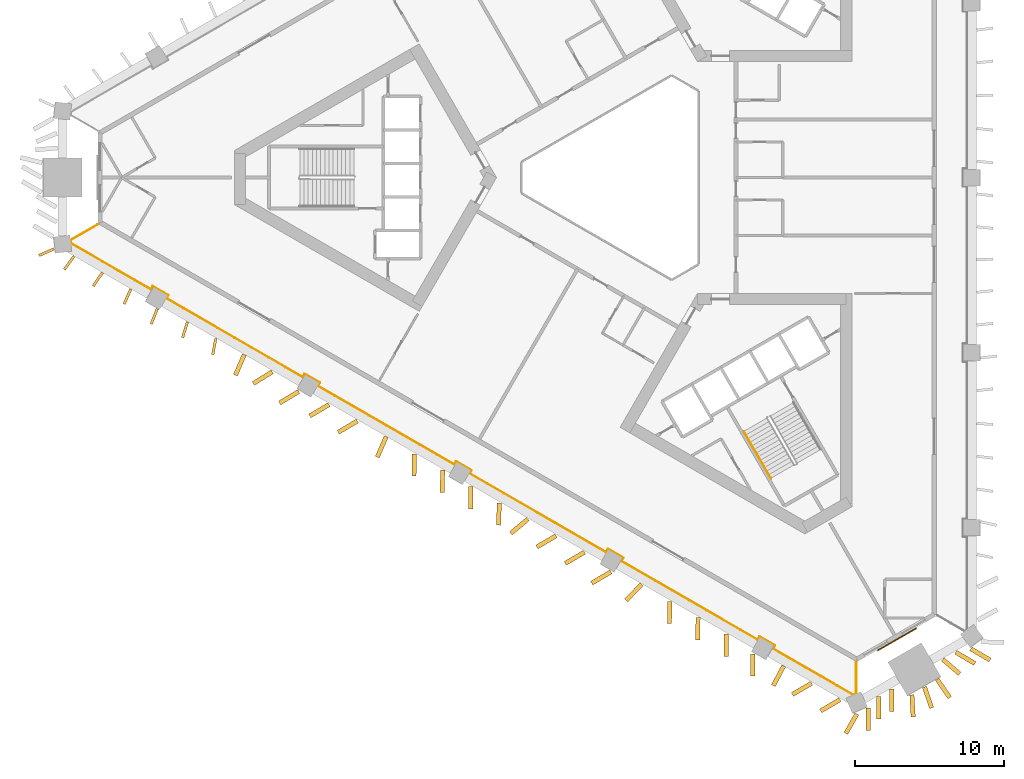
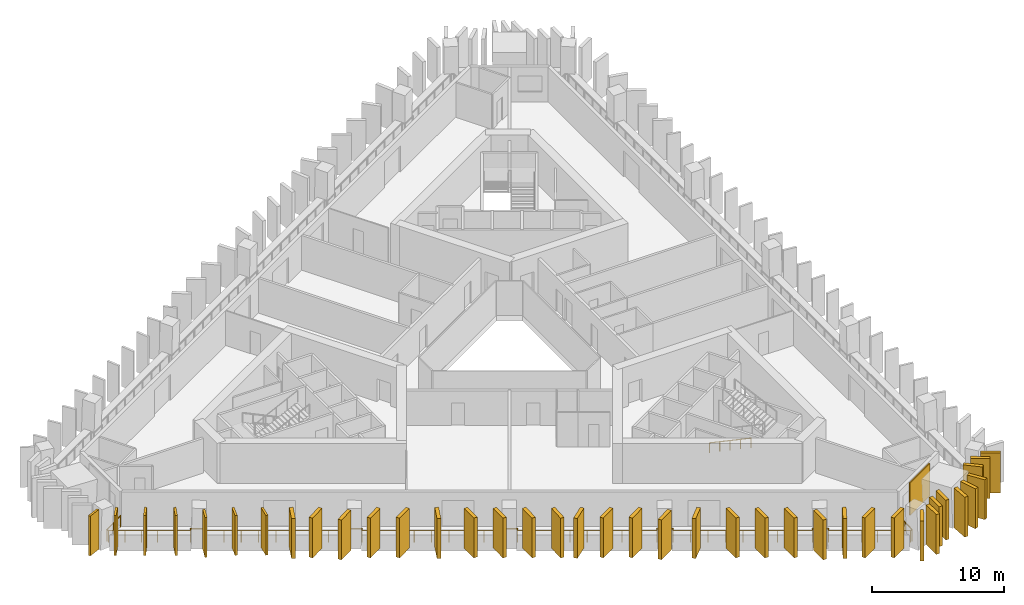
# One storey, part 8 of 11: 39 shading devices, 2 railings, 1 covering.
"""IFC4 building model written with IfcOpenShell, lengths in metres."""

from ifc_helpers import new_model, si_unit, direction, frame, frame_2d, origin, origin_2d, place, context, subcontext, project, spatial, rectangle, circle, extrude, material, layer, layer_set, type_object, element, save


model = new_model("IFC4")

# Units and contexts
model_context = context("Model", 3, precision=1e-05, world=origin(), true_north=direction((0.0, 1.0)))
body_context = subcontext(model_context, "Body", "Model", "MODEL_VIEW")
ifc_project = project(units=[si_unit("LENGTHUNIT", "METRE"), si_unit("AREAUNIT", "SQUARE_METRE"), si_unit("VOLUMEUNIT", "CUBIC_METRE"), si_unit("PLANEANGLEUNIT", "RADIAN"), si_unit("MASSUNIT", "GRAM", prefix="KILO")], contexts=[model_context])

# Site, building, storey
site_placement = place(None, origin())
site = spatial("IfcSite", under=ifc_project, at=site_placement, CompositionType="ELEMENT")
building_placement = place(site_placement, origin())
building = spatial("IfcBuilding", under=site, at=building_placement, Name="Jabali Bay Hotel Tower and Convention Centre", CompositionType="ELEMENT")
storey_placement = place(building_placement, frame((0.0, 0.0, 83.199951171875)))
storey = spatial("IfcBuildingStorey", under=building, at=storey_placement, Name="L19", CompositionType="ELEMENT", Elevation=83.199951171875)

# Railing
ifc_material_1 = material(Name="Glass", Category="glass")
railing_type_1 = type_object("IfcRailingType", Name="Loggia glass guard 1100", PredefinedType="BALUSTRADE", material=ifc_material_1)
railing_1_placement = place(storey_placement, frame((90.1708984375, 47.42431640625, 0.0)))
element("IfcRailing", 1, at=railing_1_placement, inside=storey, type_object=railing_type_1, Name="Loggia glass guard L19", PredefinedType="BALUSTRADE", context=body_context, shape_type="SweptSolid", body=[
    extrude(circle(Radius=0.02490234375, at=origin_2d()), frame((0.0, 0.0, 1.0751953125), z_axis=(0.0, -1.0, 0.0), x_axis=(0.991444861374, 0.0, 0.13052619222)), (0.0, 0.0, 1.0), 2.110595703125),
    extrude(circle(Radius=0.02490234375, at=origin_2d()), frame((0.0, -2.110595703125, 1.0751953125), z_axis=(-0.918438029816, -0.395564894029, 0.0), x_axis=(0.392180781525, -0.910580665151, 0.13052619222)), (0.0, 0.0, 1.0), 0.21484375),
    extrude(circle(Radius=0.02490234375, at=origin_2d()), frame((-0.197265625, -2.195556640625, 1.0751953125), z_axis=(-0.866012681068, 0.500022035744, 0.0), x_axis=(-0.495744277913, -0.858603822529, 0.13052619222)), (0.0, 0.0, 1.0), 6.207763671875),
    extrude(circle(Radius=0.02490234375, at=origin_2d()), frame((-5.5732421875, 0.908447265625, 1.0751953125), z_axis=(0.500342721131, 0.865827443207, 0.0), x_axis=(-0.858420169404, 0.496062219791, 0.13052619222)), (0.0, 0.0, 1.0), 0.249755859375),
    extrude(circle(Radius=0.02490234375, at=origin_2d()), frame((-5.4482421875, 1.124755859375, 1.0751953125), z_axis=(-0.866006032174, 0.500033551112, 0.0), x_axis=(-0.495755694765, -0.858597230518, 0.13052619222)), (0.0, 0.0, 1.0), 1.2001953125),
    extrude(circle(Radius=0.02490234375, at=origin_2d()), frame((-6.487548828125, 1.724853515625, 1.0751953125), z_axis=(-0.499919672301, -0.866071776036, 0.0), x_axis=(0.858662411932, -0.495642790202, 0.13052619222)), (0.0, 0.0, 1.0), 0.25),
    extrude(circle(Radius=0.02490234375, at=origin_2d()), frame((-6.612548828125, 1.50830078125, 1.0751953125), z_axis=(-0.8660248488, 0.500000961259, 0.0), x_axis=(-0.495723383723, -0.858615886165, 0.13052619222)), (0.0, 0.0, 1.0), 10.57275390625),
    extrude(circle(Radius=0.02490234375, at=origin_2d()), frame((-15.768798828125, 6.794677734375, 1.0751953125), z_axis=(0.499919672301, 0.866071776036, 0.0), x_axis=(-0.858662411932, 0.495642790202, 0.13052619222)), (0.0, 0.0, 1.0), 0.25),
    extrude(circle(Radius=0.02490234375, at=origin_2d()), frame((-15.643798828125, 7.01123046875, 1.0751953125), z_axis=(-0.866094119867, 0.499880961361, 0.0), x_axis=(-0.49560441044, -0.858684564609, 0.13052619222)), (0.0, 0.0, 1.0), 1.199951171875),
    extrude(circle(Radius=0.02490234375, at=origin_2d()), frame((-16.68310546875, 7.611083984375, 1.0751953125), z_axis=(-0.500342721131, -0.865827443207, 0.0), x_axis=(0.858420169404, -0.496062219791, 0.13052619222)), (0.0, 0.0, 1.0), 0.249755859375),
    extrude(circle(Radius=0.02490234375, at=origin_2d()), frame((-16.80810546875, 7.394775390625, 1.0751953125), z_axis=(-0.8660248488, 0.500000961259, 0.0), x_axis=(-0.495723383723, -0.858615886165, 0.13052619222)), (0.0, 0.0, 1.0), 10.57275390625),
    extrude(circle(Radius=0.02490234375, at=origin_2d()), frame((-25.96435546875, 12.68115234375, 1.0751953125), z_axis=(0.500342721131, 0.865827443207, 0.0), x_axis=(-0.858420169404, 0.496062219791, 0.13052619222)), (0.0, 0.0, 1.0), 0.249755859375),
    extrude(circle(Radius=0.02490234375, at=origin_2d()), frame((-25.83935546875, 12.8974609375, 1.0751953125), z_axis=(-0.865955154139, 0.50012165622, 0.0), x_axis=(-0.495843046121, -0.858546787751, 0.13052619222)), (0.0, 0.0, 1.0), 1.199951171875),
    extrude(circle(Radius=0.02490234375, at=origin_2d()), frame((-26.87841796875, 13.49755859375, 1.0751953125), z_axis=(-0.499919672301, -0.866071776036, 0.0), x_axis=(0.858662411932, -0.495642790202, 0.13052619222)), (0.0, 0.0, 1.0), 0.25),
    extrude(circle(Radius=0.02490234375, at=origin_2d()), frame((-27.00341796875, 13.281005859375, 1.0751953125), z_axis=(-0.8660248488, 0.500000961259, 0.0), x_axis=(-0.495723383723, -0.858615886165, 0.13052619222)), (0.0, 0.0, 1.0), 10.57275390625),
    extrude(circle(Radius=0.02490234375, at=origin_2d()), frame((-36.15966796875, 18.5673828125, 1.0751953125), z_axis=(0.499919672301, 0.866071776036, 0.0), x_axis=(-0.858662411932, 0.495642790202, 0.13052619222)), (0.0, 0.0, 1.0), 0.25),
    extrude(circle(Radius=0.02490234375, at=origin_2d()), frame((-36.03466796875, 18.783935546875, 1.0751953125), z_axis=(-0.866094119867, 0.499880961361, 0.0), x_axis=(-0.49560441044, -0.858684564609, 0.13052619222)), (0.0, 0.0, 1.0), 1.199951171875),
    extrude(circle(Radius=0.02490234375, at=origin_2d()), frame((-37.073974609375, 19.3837890625, 1.0751953125), z_axis=(-0.500342721131, -0.865827443207, 0.0), x_axis=(0.858420169404, -0.496062219791, 0.13052619222)), (0.0, 0.0, 1.0), 0.249755859375),
    extrude(circle(Radius=0.02490234375, at=origin_2d()), frame((-37.198974609375, 19.16748046875, 1.0751953125), z_axis=(-0.8660248488, 0.500000961259, 0.0), x_axis=(-0.495723383723, -0.858615886165, 0.13052619222)), (0.0, 0.0, 1.0), 10.57275390625),
    extrude(circle(Radius=0.02490234375, at=origin_2d()), frame((-46.355224609375, 24.453857421875, 1.0751953125), z_axis=(0.500342721131, 0.865827443207, 0.0), x_axis=(-0.858420169404, 0.496062219791, 0.13052619222)), (0.0, 0.0, 1.0), 0.249755859375),
    extrude(circle(Radius=0.02490234375, at=origin_2d()), frame((-46.230224609375, 24.670166015625, 1.0751953125), z_axis=(-0.865955154139, 0.50012165622, 0.0), x_axis=(-0.495843046121, -0.858546787751, 0.13052619222)), (0.0, 0.0, 1.0), 1.199951171875),
    extrude(circle(Radius=0.02490234375, at=origin_2d()), frame((-47.269287109375, 25.270263671875, 1.0751953125), z_axis=(-0.499919672301, -0.866071776036, 0.0), x_axis=(0.858662411932, -0.495642790202, 0.13052619222)), (0.0, 0.0, 1.0), 0.25),
    extrude(circle(Radius=0.02490234375, at=origin_2d()), frame((-47.394287109375, 25.0537109375, 1.0751953125), z_axis=(-0.866022513547, 0.500005006005, 0.0), x_axis=(-0.495727393865, -0.85861357089, 0.13052619222)), (0.0, 0.0, 1.0), 6.2080078125),
    extrude(circle(Radius=0.02490234375, at=origin_2d()), frame((-52.7705078125, 28.15771484375, 1.0751953125), z_axis=(-0.116049066602, 0.993243481801, 0.0), x_axis=(-0.984746146125, -0.11505625075, 0.13052619222)), (0.0, 0.0, 1.0), 0.214599609375),
    extrude(circle(Radius=0.02490234375, at=origin_2d()), frame((-52.79541015625, 28.370849609375, 1.0751953125), z_axis=(0.865977518836, 0.500082929993, 0.0), x_axis=(-0.495804651202, 0.858568961115, 0.13052619222)), (0.0, 0.0, 1.0), 2.110595703125),
    extrude(circle(Radius=0.02001953125, at=origin_2d()), origin(), (0.0, 0.0, 1.0), 1.050048828125),
    extrude(circle(Radius=0.02001953125, at=origin_2d()), frame((0.0, -1.05517578125, 0.0)), (0.0, 0.0, 1.0), 1.050048828125),
    extrude(circle(Radius=0.02001953125, at=origin_2d()), frame((0.0, -2.110595703125, 0.0)), (0.0, 0.0, 1.0), 1.050048828125),
    extrude(circle(Radius=0.02001953125, at=origin_2d()), frame((-0.197265625, -2.195556640625, 0.0)), (0.0, 0.0, 1.0), 1.050048828125),
    extrude(circle(Radius=0.02001953125, at=origin_2d()), frame((-1.2724609375, -1.57470703125, 0.0)), (0.0, 0.0, 1.0), 1.050048828125),
    extrude(circle(Radius=0.02001953125, at=origin_2d()), frame((-2.34765625, -0.953857421875, 0.0)), (0.0, 0.0, 1.0), 1.050048828125),
    extrude(circle(Radius=0.02001953125, at=origin_2d()), frame((-3.4228515625, -0.333251953125, 0.0)), (0.0, 0.0, 1.0), 1.050048828125),
    extrude(circle(Radius=0.02001953125, at=origin_2d()), frame((-4.498046875, 0.28759765625, 0.0)), (0.0, 0.0, 1.0), 1.050048828125),
    extrude(circle(Radius=0.02001953125, at=origin_2d()), frame((-5.5732421875, 0.908447265625, 0.0)), (0.0, 0.0, 1.0), 1.050048828125),
    extrude(circle(Radius=0.02001953125, at=origin_2d()), frame((-5.4482421875, 1.124755859375, 0.0)), (0.0, 0.0, 1.0), 1.050048828125),
    extrude(circle(Radius=0.02001953125, at=origin_2d()), frame((-6.487548828125, 1.724853515625, 0.0)), (0.0, 0.0, 1.0), 1.050048828125),
    extrude(circle(Radius=0.02001953125, at=origin_2d()), frame((-6.612548828125, 1.50830078125, 0.0)), (0.0, 0.0, 1.0), 1.050048828125),
    extrude(circle(Radius=0.02001953125, at=origin_2d()), frame((-7.757080078125, 2.169189453125, 0.0)), (0.0, 0.0, 1.0), 1.050048828125),
    extrude(circle(Radius=0.02001953125, at=origin_2d()), frame((-8.901611328125, 2.829833984375, 0.0)), (0.0, 0.0, 1.0), 1.050048828125),
    extrude(circle(Radius=0.02001953125, at=origin_2d()), frame((-10.046142578125, 3.49072265625, 0.0)), (0.0, 0.0, 1.0), 1.050048828125),
    extrude(circle(Radius=0.02001953125, at=origin_2d()), frame((-11.190673828125, 4.1513671875, 0.0)), (0.0, 0.0, 1.0), 1.050048828125),
    extrude(circle(Radius=0.02001953125, at=origin_2d()), frame((-12.335205078125, 4.812255859375, 0.0)), (0.0, 0.0, 1.0), 1.050048828125),
    extrude(circle(Radius=0.02001953125, at=origin_2d()), frame((-13.479736328125, 5.47314453125, 0.0)), (0.0, 0.0, 1.0), 1.050048828125),
    extrude(circle(Radius=0.02001953125, at=origin_2d()), frame((-14.624267578125, 6.1337890625, 0.0)), (0.0, 0.0, 1.0), 1.050048828125),
    extrude(circle(Radius=0.02001953125, at=origin_2d()), frame((-15.768798828125, 6.794677734375, 0.0)), (0.0, 0.0, 1.0), 1.050048828125),
    extrude(circle(Radius=0.02001953125, at=origin_2d()), frame((-15.643798828125, 7.01123046875, 0.0)), (0.0, 0.0, 1.0), 1.050048828125),
    extrude(circle(Radius=0.02001953125, at=origin_2d()), frame((-16.68310546875, 7.611083984375, 0.0)), (0.0, 0.0, 1.0), 1.050048828125),
    extrude(circle(Radius=0.02001953125, at=origin_2d()), frame((-16.80810546875, 7.394775390625, 0.0)), (0.0, 0.0, 1.0), 1.050048828125),
    extrude(circle(Radius=0.02001953125, at=origin_2d()), frame((-17.95263671875, 8.0556640625, 0.0)), (0.0, 0.0, 1.0), 1.050048828125),
    extrude(circle(Radius=0.02001953125, at=origin_2d()), frame((-19.09716796875, 8.71630859375, 0.0)), (0.0, 0.0, 1.0), 1.050048828125),
    extrude(circle(Radius=0.02001953125, at=origin_2d()), frame((-20.24169921875, 9.377197265625, 0.0)), (0.0, 0.0, 1.0), 1.050048828125),
    extrude(circle(Radius=0.02001953125, at=origin_2d()), frame((-21.38623046875, 10.0380859375, 0.0)), (0.0, 0.0, 1.0), 1.050048828125),
    extrude(circle(Radius=0.02001953125, at=origin_2d()), frame((-22.53076171875, 10.69873046875, 0.0)), (0.0, 0.0, 1.0), 1.050048828125),
    extrude(circle(Radius=0.02001953125, at=origin_2d()), frame((-23.67529296875, 11.359619140625, 0.0)), (0.0, 0.0, 1.0), 1.050048828125),
    extrude(circle(Radius=0.02001953125, at=origin_2d()), frame((-24.81982421875, 12.020263671875, 0.0)), (0.0, 0.0, 1.0), 1.050048828125),
    extrude(circle(Radius=0.02001953125, at=origin_2d()), frame((-25.96435546875, 12.68115234375, 0.0)), (0.0, 0.0, 1.0), 1.050048828125),
    extrude(circle(Radius=0.02001953125, at=origin_2d()), frame((-25.83935546875, 12.8974609375, 0.0)), (0.0, 0.0, 1.0), 1.050048828125),
    extrude(circle(Radius=0.02001953125, at=origin_2d()), frame((-26.87841796875, 13.49755859375, 0.0)), (0.0, 0.0, 1.0), 1.050048828125),
    extrude(circle(Radius=0.02001953125, at=origin_2d()), frame((-27.00341796875, 13.281005859375, 0.0)), (0.0, 0.0, 1.0), 1.050048828125),
    extrude(circle(Radius=0.02001953125, at=origin_2d()), frame((-28.14794921875, 13.94189453125, 0.0)), (0.0, 0.0, 1.0), 1.050048828125),
    extrude(circle(Radius=0.02001953125, at=origin_2d()), frame((-29.29248046875, 14.6025390625, 0.0)), (0.0, 0.0, 1.0), 1.050048828125),
    extrude(circle(Radius=0.02001953125, at=origin_2d()), frame((-30.43701171875, 15.263427734375, 0.0)), (0.0, 0.0, 1.0), 1.050048828125),
    extrude(circle(Radius=0.02001953125, at=origin_2d()), frame((-31.58154296875, 15.92431640625, 0.0)), (0.0, 0.0, 1.0), 1.050048828125),
    extrude(circle(Radius=0.02001953125, at=origin_2d()), frame((-32.72607421875, 16.5849609375, 0.0)), (0.0, 0.0, 1.0), 1.050048828125),
    extrude(circle(Radius=0.02001953125, at=origin_2d()), frame((-33.87060546875, 17.245849609375, 0.0)), (0.0, 0.0, 1.0), 1.050048828125),
    extrude(circle(Radius=0.02001953125, at=origin_2d()), frame((-35.01513671875, 17.906494140625, 0.0)), (0.0, 0.0, 1.0), 1.050048828125),
    extrude(circle(Radius=0.02001953125, at=origin_2d()), frame((-36.15966796875, 18.5673828125, 0.0)), (0.0, 0.0, 1.0), 1.050048828125),
    extrude(circle(Radius=0.02001953125, at=origin_2d()), frame((-36.03466796875, 18.783935546875, 0.0)), (0.0, 0.0, 1.0), 1.050048828125),
    extrude(circle(Radius=0.02001953125, at=origin_2d()), frame((-37.073974609375, 19.3837890625, 0.0)), (0.0, 0.0, 1.0), 1.050048828125),
    extrude(circle(Radius=0.02001953125, at=origin_2d()), frame((-37.198974609375, 19.16748046875, 0.0)), (0.0, 0.0, 1.0), 1.050048828125),
    extrude(circle(Radius=0.02001953125, at=origin_2d()), frame((-38.343505859375, 19.828369140625, 0.0)), (0.0, 0.0, 1.0), 1.050048828125),
    extrude(circle(Radius=0.02001953125, at=origin_2d()), frame((-39.488037109375, 20.489013671875, 0.0)), (0.0, 0.0, 1.0), 1.050048828125),
    extrude(circle(Radius=0.02001953125, at=origin_2d()), frame((-40.632568359375, 21.14990234375, 0.0)), (0.0, 0.0, 1.0), 1.050048828125),
    extrude(circle(Radius=0.02001953125, at=origin_2d()), frame((-41.777099609375, 21.810546875, 0.0)), (0.0, 0.0, 1.0), 1.050048828125),
    extrude(circle(Radius=0.02001953125, at=origin_2d()), frame((-42.921630859375, 22.471435546875, 0.0)), (0.0, 0.0, 1.0), 1.050048828125),
    extrude(circle(Radius=0.02001953125, at=origin_2d()), frame((-44.066162109375, 23.13232421875, 0.0)), (0.0, 0.0, 1.0), 1.050048828125),
    extrude(circle(Radius=0.02001953125, at=origin_2d()), frame((-45.210693359375, 23.79296875, 0.0)), (0.0, 0.0, 1.0), 1.050048828125),
    extrude(circle(Radius=0.02001953125, at=origin_2d()), frame((-46.355224609375, 24.453857421875, 0.0)), (0.0, 0.0, 1.0), 1.050048828125),
    extrude(circle(Radius=0.02001953125, at=origin_2d()), frame((-46.230224609375, 24.670166015625, 0.0)), (0.0, 0.0, 1.0), 1.050048828125),
    extrude(circle(Radius=0.02001953125, at=origin_2d()), frame((-47.269287109375, 25.270263671875, 0.0)), (0.0, 0.0, 1.0), 1.050048828125),
    extrude(circle(Radius=0.02001953125, at=origin_2d()), frame((-47.394287109375, 25.0537109375, 0.0)), (0.0, 0.0, 1.0), 1.050048828125),
    extrude(circle(Radius=0.02001953125, at=origin_2d()), frame((-48.469482421875, 25.674560546875, 0.0)), (0.0, 0.0, 1.0), 1.050048828125),
    extrude(circle(Radius=0.02001953125, at=origin_2d()), frame((-49.544677734375, 26.29541015625, 0.0)), (0.0, 0.0, 1.0), 1.050048828125),
    extrude(circle(Radius=0.02001953125, at=origin_2d()), frame((-50.6201171875, 26.916015625, 0.0)), (0.0, 0.0, 1.0), 1.050048828125),
    extrude(circle(Radius=0.02001953125, at=origin_2d()), frame((-51.6953125, 27.536865234375, 0.0)), (0.0, 0.0, 1.0), 1.050048828125),
    extrude(circle(Radius=0.02001953125, at=origin_2d()), frame((-52.7705078125, 28.15771484375, 0.0)), (0.0, 0.0, 1.0), 1.050048828125),
    extrude(circle(Radius=0.02001953125, at=origin_2d()), frame((-52.79541015625, 28.370849609375, 0.0)), (0.0, 0.0, 1.0), 1.050048828125),
    extrude(circle(Radius=0.02001953125, at=origin_2d()), frame((-51.881591796875, 28.8984375, 0.0)), (0.0, 0.0, 1.0), 1.050048828125),
    extrude(circle(Radius=0.02001953125, at=origin_2d()), frame((-50.9677734375, 29.42626953125, 0.0)), (0.0, 0.0, 1.0), 1.050048828125),
])

# Shading devices
ifc_material_2 = material(Name="Precast concrete C60", Category="concrete")
ifc_layer_1 = layer(ifc_material_2, 0.179931640625)
ifc_layer_set_1 = layer_set([ifc_layer_1], Name="Precast concrete C60")
shading_device_type_1 = type_object("IfcShadingDeviceType", Name="Precast fin 3680 x 1100", PredefinedType="USERDEFINED", material=ifc_layer_set_1)
shading_device_1_placement = place(storey_placement, frame((37.606201171875, 74.71044921875, 0.010009765625), z_axis=(0.0, 0.0, 1.0), x_axis=(-0.589187249402, -0.807996525452, 0.0)))
element("IfcShadingDevice", 2, at=shading_device_1_placement, inside=storey, type_object=shading_device_type_1, Name="Fin L19 074", ObjectType="FIN", PredefinedType="USERDEFINED", context=body_context, shape_type="SweptSolid", body=[
    extrude(rectangle(XDim=1.10009765625, YDim=0.179931640625, at=frame_2d((0.550048828125, 0.0))), origin(), (0.0, 0.0, 1.0), 3.679931640625),
])
for number, where, z_axis, x_axis, name in (
    (3, (39.515380859375, 73.611572265625, 0.010009765625), (0.0, 0.0, 1.0), (-0.561544839227, -0.827446308553, 0.0), "Fin L19 075"),
    (4, (41.421630859375, 72.507568359375, 0.010009765625), (0.0, 0.0, 1.0), (-0.40690040059, -0.913472530512, 0.0), "Fin L19 076"),
):
    element("IfcShadingDevice", number, at=place(storey_placement, frame(where, z_axis=z_axis, x_axis=x_axis)), inside=storey, type_object=shading_device_type_1, Name=name, ObjectType="FIN", PredefinedType="USERDEFINED", context=body_context, shape_type="SweptSolid", body=[
        extrude(rectangle(XDim=1.099853515625, YDim=0.179931640625, at=frame_2d((0.5498046875, 0.0))), origin(), (0.0, 0.0, 1.0), 3.679931640625),
    ])
shading_device_2_placement = place(storey_placement, frame((43.19873046875, 71.1796875, 0.010009765625), z_axis=(0.0, 0.0, 1.0), x_axis=(-0.365260996915, -0.930905153135, 0.0)))
element("IfcShadingDevice", 5, at=shading_device_2_placement, inside=storey, type_object=shading_device_type_1, Name="Fin L19 077", ObjectType="FIN", PredefinedType="USERDEFINED", context=body_context, shape_type="SweptSolid", body=[
    extrude(rectangle(XDim=1.10009765625, YDim=0.179931640625, at=frame_2d((0.550048828125, 0.0))), origin(), (0.0, 0.0, 1.0), 3.679931640625),
])
shading_device_3_placement = place(storey_placement, frame((45.232177734375, 70.2958984375, 0.010009765625), z_axis=(0.0, 0.0, 1.0), x_axis=(-0.299197434779, -0.954191225605, 0.0)))
element("IfcShadingDevice", 6, at=shading_device_3_placement, inside=storey, type_object=shading_device_type_1, Name="Fin L19 078", ObjectType="FIN", PredefinedType="USERDEFINED", context=body_context, shape_type="SweptSolid", body=[
    extrude(rectangle(XDim=1.099853515625, YDim=0.179931640625, at=frame_2d((0.5498046875, 0.0))), origin(), (0.0, 0.0, 1.0), 3.679931640625),
])
for number, where, z_axis, x_axis, name in (
    (7, (47.134765625, 69.185546875, 0.010009765625), (0.0, 0.0, 1.0), (-0.185092458555, -0.982721110889, 0.0), "Fin L19 079"),
    (8, (36.259765625, 75.208740234375, 0.010009765625), (0.0, 0.0, 1.0), (-0.913912190317, -0.405911946598, 0.0), "Fin L19 115"),
):
    element("IfcShadingDevice", number, at=place(storey_placement, frame(where, z_axis=z_axis, x_axis=x_axis)), inside=storey, type_object=shading_device_type_1, Name=name, ObjectType="FIN", PredefinedType="USERDEFINED", context=body_context, shape_type="SweptSolid", body=[
        extrude(rectangle(XDim=1.10009765625, YDim=0.179931640625, at=frame_2d((0.550048828125, 0.0))), origin(), (0.0, 0.0, 1.0), 3.679931640625),
    ])
ifc_layer_2 = layer(ifc_material_2, 0.300048828125)
ifc_layer_set_2 = layer_set([ifc_layer_2], Name="Precast concrete C60")
shading_device_type_2 = type_object("IfcShadingDeviceType", Name="Precast fin 3680 x 1500", PredefinedType="USERDEFINED", material=ifc_layer_set_2)
for number, where, z_axis, x_axis, name in (
    (9, (49.048828125, 68.094970703125, 0.010009765625), (0.0, 0.0, 1.0), (-0.39731507574, -0.917682260148, 0.0), "Fin L19 080"),
    (10, (50.929931640625, 66.947021484375, 0.010009765625), (0.0, 0.0, 1.0), (-0.850258209303, -0.526365820996, 0.0), "Fin L19 081"),
):
    element("IfcShadingDevice", number, at=place(storey_placement, frame(where, z_axis=z_axis, x_axis=x_axis)), inside=storey, type_object=shading_device_type_2, Name=name, ObjectType="FIN", PredefinedType="USERDEFINED", context=body_context, shape_type="SweptSolid", body=[
        extrude(rectangle(XDim=1.5, YDim=0.300048828125, at=frame_2d((0.75, 0.0))), origin(), (0.0, 0.0, 1.0), 3.679931640625),
    ])
shading_device_4_placement = place(storey_placement, frame((52.707763671875, 65.620849609375, 0.010009765625), z_axis=(0.0, 0.0, 1.0), x_axis=(-0.858796893697, -0.512316206435, 0.0)))
element("IfcShadingDevice", 11, at=shading_device_4_placement, inside=storey, type_object=shading_device_type_2, Name="Fin L19 082", ObjectType="FIN", PredefinedType="USERDEFINED", context=body_context, shape_type="SweptSolid", body=[
    extrude(rectangle(XDim=1.500244140625, YDim=0.300048828125, at=frame_2d((0.75, 0.0))), origin(), (0.0, 0.0, 1.0), 3.679931640625),
])
shading_device_5_placement = place(storey_placement, frame((54.743896484375, 64.74169921875, 0.010009765625), z_axis=(0.0, 0.0, 1.0), x_axis=(-0.861247172578, -0.508186292344, 0.0)))
element("IfcShadingDevice", 12, at=shading_device_5_placement, inside=storey, type_object=shading_device_type_2, Name="Fin L19 083", ObjectType="FIN", PredefinedType="USERDEFINED", context=body_context, shape_type="SweptSolid", body=[
    extrude(rectangle(XDim=1.499755859375, YDim=0.300048828125, at=frame_2d((0.75, 0.0))), origin(), (0.0, 0.0, 1.0), 3.679931640625),
])
for number, where, z_axis, x_axis, name in (
    (13, (56.651611328125, 63.64013671875, 0.010009765625), (0.0, 0.0, 1.0), (-0.86184214861, -0.507176607189, 0.0), "Fin L19 084"),
    (14, (58.587890625, 62.588134765625, 0.010009765625), (0.0, 0.0, 1.0), (-0.399725690656, -0.916634808541, 0.0), "Fin L19 085"),
):
    element("IfcShadingDevice", number, at=place(storey_placement, frame(where, z_axis=z_axis, x_axis=x_axis)), inside=storey, type_object=shading_device_type_2, Name=name, ObjectType="FIN", PredefinedType="USERDEFINED", context=body_context, shape_type="SweptSolid", body=[
        extrude(rectangle(XDim=1.5, YDim=0.300048828125, at=frame_2d((0.75, 0.0))), origin(), (0.0, 0.0, 1.0), 3.679931640625),
    ])
shading_device_6_placement = place(storey_placement, frame((60.46728515625, 61.43701171875, 0.010009765625), z_axis=(0.0, 0.0, 1.0), x_axis=(-0.007813533249, -0.999969473883, 0.0)))
element("IfcShadingDevice", 15, at=shading_device_6_placement, inside=storey, type_object=shading_device_type_2, Name="Fin L19 086", ObjectType="FIN", PredefinedType="USERDEFINED", context=body_context, shape_type="SweptSolid", body=[
    extrude(rectangle(XDim=1.499755859375, YDim=0.300048828125, at=frame_2d((0.75, 0.0))), origin(), (0.0, 0.0, 1.0), 3.679931640625),
])
for number, where, z_axis, x_axis, name in (
    (16, (62.375, 60.335693359375, 0.010009765625), (0.0, 0.0, 1.0), (-0.007649515767, -0.999970742026, 0.0), "Fin L19 087"),
    (17, (64.28271484375, 59.234130859375, 0.010009765625), (0.0, 0.0, 1.0), (-0.007649515767, -0.999970742026, 0.0), "Fin L19 088"),
    (18, (66.192626953125, 58.13623046875, 0.010009765625), (0.0, 0.0, 1.0), (-0.038901952237, -0.999243032556, 0.0), "Fin L19 089"),
):
    element("IfcShadingDevice", number, at=place(storey_placement, frame(where, z_axis=z_axis, x_axis=x_axis)), inside=storey, type_object=shading_device_type_2, Name=name, ObjectType="FIN", PredefinedType="USERDEFINED", context=body_context, shape_type="SweptSolid", body=[
        extrude(rectangle(XDim=1.5, YDim=0.300048828125, at=frame_2d((0.75, 0.0))), origin(), (0.0, 0.0, 1.0), 3.679931640625),
    ])
shading_device_7_placement = place(storey_placement, frame((68.109619140625, 57.051025390625, 0.010009765625), z_axis=(0.0, 0.0, 1.0), x_axis=(-0.766015751618, -0.642821801336, 0.0)))
element("IfcShadingDevice", 19, at=shading_device_7_placement, inside=storey, type_object=shading_device_type_2, Name="Fin L19 090", ObjectType="FIN", PredefinedType="USERDEFINED", context=body_context, shape_type="SweptSolid", body=[
    extrude(rectangle(XDim=1.500244140625, YDim=0.300048828125, at=frame_2d((0.75, 0.0))), origin(), (0.0, 0.0, 1.0), 3.679931640625),
])
for number, where, z_axis, x_axis, name in (
    (20, (70.006103515625, 55.929931640625, 0.010009765625), (0.0, 0.0, 1.0), (-0.862139163582, -0.506671552998, 0.0), "Fin L19 091"),
    (21, (71.913818359375, 54.828369140625, 0.010009765625), (0.0, 0.0, 1.0), (-0.862139163582, -0.506671552998, 0.0), "Fin L19 092"),
    (22, (73.69287109375, 53.50390625, 0.010009765625), (0.0, 0.0, 1.0), (-0.862210257959, -0.506550561218, 0.0), "Fin L19 093"),
    (23, (75.748291015625, 52.658203125, 0.010009765625), (0.0, 0.0, 1.0), (-0.694298196867, -0.71968744176, 0.0), "Fin L19 094"),
):
    element("IfcShadingDevice", number, at=place(storey_placement, frame(where, z_axis=z_axis, x_axis=x_axis)), inside=storey, type_object=shading_device_type_2, Name=name, ObjectType="FIN", PredefinedType="USERDEFINED", context=body_context, shape_type="SweptSolid", body=[
        extrude(rectangle(XDim=1.5, YDim=0.300048828125, at=frame_2d((0.75, 0.0))), origin(), (0.0, 0.0, 1.0), 3.679931640625),
    ])
shading_device_8_placement = place(storey_placement, frame((77.63720703125, 51.52392578125, 0.010009765625), z_axis=(0.0, 0.0, 1.0), x_axis=(-0.007650760936, -0.9999707325, 0.0)))
element("IfcShadingDevice", 24, at=shading_device_8_placement, inside=storey, type_object=shading_device_type_2, Name="Fin L19 095", ObjectType="FIN", PredefinedType="USERDEFINED", context=body_context, shape_type="SweptSolid", body=[
    extrude(rectangle(XDim=1.499755859375, YDim=0.300048828125, at=frame_2d((0.75, 0.0))), origin(), (0.0, 0.0, 1.0), 3.679931640625),
])
shading_device_9_placement = place(storey_placement, frame((79.544921875, 50.422607421875, 0.010009765625), z_axis=(0.0, 0.0, 1.0), x_axis=(-0.007649515767, -0.999970742026, 0.0)))
element("IfcShadingDevice", 25, at=shading_device_9_placement, inside=storey, type_object=shading_device_type_2, Name="Fin L19 096", ObjectType="FIN", PredefinedType="USERDEFINED", context=body_context, shape_type="SweptSolid", body=[
    extrude(rectangle(XDim=1.5, YDim=0.300048828125, at=frame_2d((0.75, 0.0))), origin(), (0.0, 0.0, 1.0), 3.679931640625),
])
for number, where, z_axis, x_axis, name in (
    (26, (81.45263671875, 49.321044921875, 0.010009765625), (0.0, 0.0, 1.0), (-0.007650760936, -0.9999707325, 0.0), "Fin L19 097"),
    (27, (83.231689453125, 47.99658203125, 0.010009765625), (0.0, 0.0, 1.0), (-0.007650760936, -0.9999707325, 0.0), "Fin L19 098"),
):
    element("IfcShadingDevice", number, at=place(storey_placement, frame(where, z_axis=z_axis, x_axis=x_axis)), inside=storey, type_object=shading_device_type_2, Name=name, ObjectType="FIN", PredefinedType="USERDEFINED", context=body_context, shape_type="SweptSolid", body=[
        extrude(rectangle(XDim=1.499755859375, YDim=0.300048828125, at=frame_2d((0.75, 0.0))), origin(), (0.0, 0.0, 1.0), 3.679931640625),
    ])
for number, where, z_axis, x_axis, name in (
    (28, (85.30224609375, 47.177001953125, 0.010009765625), (0.0, 0.0, 1.0), (-0.465028475797, -0.885295722738, 0.0), "Fin L19 099"),
    (29, (87.176025390625, 46.016845703125, 0.010009765625), (0.0, 0.0, 1.0), (-0.862139163582, -0.506671552998, 0.0), "Fin L19 100"),
    (30, (89.083740234375, 44.915283203125, 0.010009765625), (0.0, 0.0, 1.0), (-0.862139163582, -0.506671552998, 0.0), "Fin L19 101"),
    (31, (90.98681640625, 44.35009765625, 0.010009765625), (0.0, 0.0, 1.0), (0.007649515767, -0.999970742026, 0.0), "Fin L19 102"),
    (32, (91.69384765625, 45.11572265625, 0.010009765625), (0.0, 0.0, 1.0), (0.007649515767, -0.999970742026, 0.0), "Fin L19 103"),
    (33, (92.555419921875, 45.61328125, 0.010009765625), (0.0, 0.0, 1.0), (0.007649515767, -0.999970742026, 0.0), "Fin L19 104"),
    (34, (93.920166015625, 45.239501953125, 0.010009765625), (0.0, 0.0, 1.0), (0.056317389806, -0.998412916386, 0.0), "Fin L19 105"),
    (35, (94.7626953125, 45.769775390625, 0.010009765625), (0.0, 0.0, 1.0), (0.319009601159, -0.947751483443, 0.0), "Fin L19 106"),
    (36, (95.615478515625, 46.282958984375, 0.010009765625), (0.0, 0.0, 1.0), (0.565395509043, -0.824819930866, 0.0), "Fin L19 107"),
    (37, (95.989990234375, 47.624267578125, 0.010009765625), (0.0, 0.0, 1.0), (0.758773866566, -0.651354142857, 0.0), "Fin L19 108"),
    (38, (96.86376953125, 48.1005859375, 0.010009765625), (0.0, 0.0, 1.0), (0.862210257959, -0.506550561218, 0.0), "Fin L19 109"),
    (39, (97.88037109375, 48.330078125, 0.010009765625), (0.0, 0.0, 1.0), (0.862139163582, -0.506671552998, 0.0), "Fin L19 110"),
    (40, (90.220947265625, 43.953125, 0.010009765625), (0.0, 0.0, 1.0), (-0.493349296078, -0.869831289423, 0.0), "Fin L19 116"),
):
    element("IfcShadingDevice", number, at=place(storey_placement, frame(where, z_axis=z_axis, x_axis=x_axis)), inside=storey, type_object=shading_device_type_2, Name=name, ObjectType="FIN", PredefinedType="USERDEFINED", context=body_context, shape_type="SweptSolid", body=[
        extrude(rectangle(XDim=1.5, YDim=0.300048828125, at=frame_2d((0.75, 0.0))), origin(), (0.0, 0.0, 1.0), 3.679931640625),
    ])

# Covering
ifc_material_3 = material(Name="Precast concrete C40/50", Category="concrete")
ifc_layer_3 = layer(ifc_material_3, 0.080078125)
ifc_layer_set_3 = layer_set([ifc_layer_3], Name="Precast concrete C40/50")
covering_type = type_object("IfcCoveringType", Name="Relief panel 3000 x 3000", PredefinedType="CLADDING", material=ifc_layer_set_3)
covering_placement = place(storey_placement, frame((92.91845703125, 48.96435546875, 0.10009765625), z_axis=(0.0, 0.0, 1.0), x_axis=(-0.866025409858, -0.49999998948, 0.0)))
element("IfcCovering", 41, at=covering_placement, inside=storey, type_object=covering_type, Name="Relief panel L19", PredefinedType="CLADDING", context=body_context, shape_type="SweptSolid", body=[
    extrude(rectangle(XDim=3.0, YDim=0.080078125, at=origin_2d()), origin(), (0.0, 0.0, 1.0), 3.0),
])

# Railing
ifc_material_4 = material(Name="Steel Q355B", Category="steel")
railing_type_2 = type_object("IfcRailingType", Name="Stair handrail 900", PredefinedType="HANDRAIL", material=ifc_material_4)
railing_2_placement = place(storey_placement, frame((82.622802734375, 62.94677734375, 0.132080078125)))
element("IfcRailing", 42, at=railing_2_placement, inside=storey, type_object=railing_type_2, Name="L19 ST3 stair handrail 1", PredefinedType="HANDRAIL", context=body_context, shape_type="SweptSolid", body=[
    extrude(circle(Radius=0.02392578125, at=origin_2d()), frame((0.0, 0.0, 0.8759765625), z_axis=(0.45217862506, -0.783169739339, 0.426825081763), x_axis=(0.866018046521, 0.500012742938, 0.0)), (0.0, 0.0, 1.0), 4.025146484375),
    extrude(circle(Radius=0.02099609375, at=origin_2d()), origin(), (0.0, 0.0, 1.0), 0.851806640625),
    extrude(circle(Radius=0.02099609375, at=origin_2d()), frame((0.455078125, -0.7880859375, 0.429443359375)), (0.0, 0.0, 1.0), 0.851806640625),
    extrude(circle(Radius=0.02099609375, at=origin_2d()), frame((0.91015625, -1.576171875, 0.85888671875)), (0.0, 0.0, 1.0), 0.851806640625),
    extrude(circle(Radius=0.02099609375, at=origin_2d()), frame((1.364990234375, -2.3642578125, 1.28857421875)), (0.0, 0.0, 1.0), 0.851806640625),
    extrude(circle(Radius=0.02099609375, at=origin_2d()), frame((1.820068359375, -3.15234375, 1.718017578125)), (0.0, 0.0, 1.0), 0.851806640625),
])

save(model, "model.ifc")
